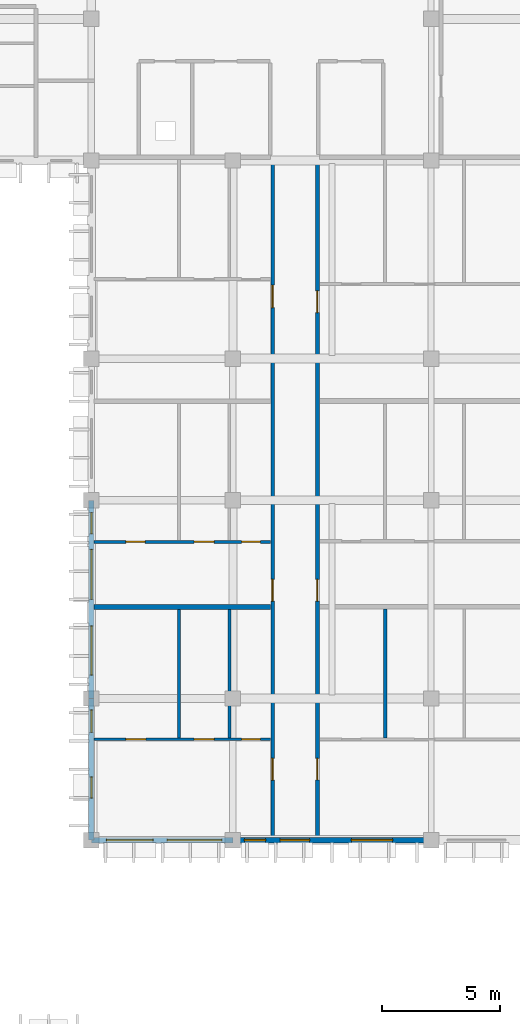
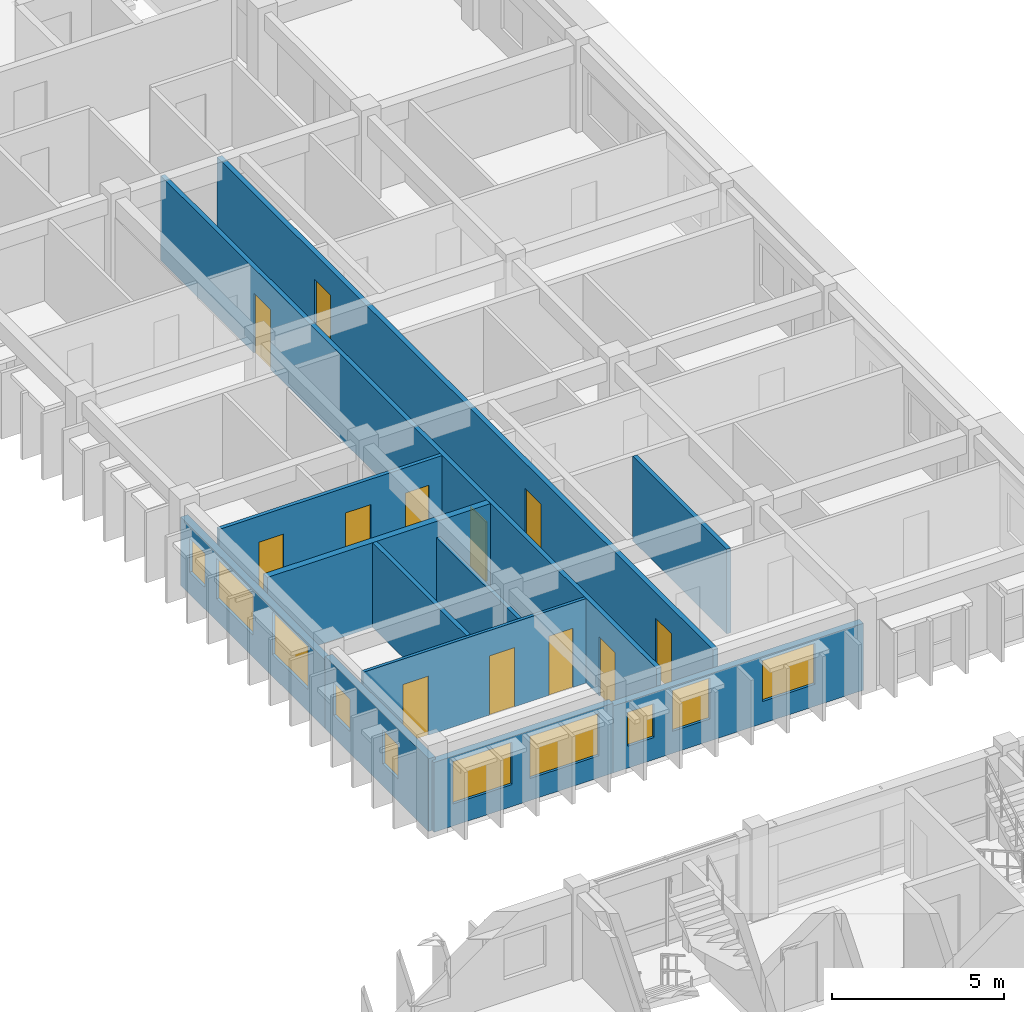
# One storey, part 62 of 101: 12 doors, 12 walls, 10 windows, 22 openings.
"""IFC4 building model written with IfcOpenShell, lengths in metres."""

import ifcopenshell
import ifcopenshell.guid

model = None  # the IFC model being written
_history = None  # IfcOwnerHistory: only IFC2X3 demands one
_inside = {}  # id of a spatial element -> (the spatial element, [elements in it])
_under = {}  # id of a project, library or spatial element -> (it, [spatial elements below it])
_declared = {}  # id of a project -> (the project, [libraries it declares])
_typed = {}  # id of a type object -> (the type object, [elements of that type])
_made_of = {}  # id of a material, layer set ... -> (it, [elements and type objects made of it])


def new_model(schema):
    """Start an empty IFC model of exactly this schema.

    Asked for "IFC4X3", IfcOpenShell would pick the latest addendum, in which some entities
    have other attributes; the version numbers below select the first issue.
    IFC2X3 requires an IfcOwnerHistory on every rooted entity: one is made here for all.
    """
    global model, _history
    if schema == "IFC4X3":
        model = ifcopenshell.file(schema_version=(4, 3, 0, 0))
    else:
        model = ifcopenshell.file(schema=schema)
    _inside.clear()
    _under.clear()
    _declared.clear()
    _typed.clear()
    _made_of.clear()
    _history = None
    if model.schema == "IFC2X3":
        org = make("IfcOrganization", Name="unknown")
        user = make(
            "IfcPersonAndOrganization",
            ThePerson=make("IfcPerson", FamilyName="unknown"),
            TheOrganization=org,
        )
        app = make(
            "IfcApplication",
            ApplicationDeveloper=org,
            Version="unknown",
            ApplicationFullName="unknown",
            ApplicationIdentifier="unknown",
        )
        _history = make(
            "IfcOwnerHistory",
            OwningUser=user,
            OwningApplication=app,
            ChangeAction="ADDED",
            CreationDate=0,
        )
    return model


def make(cls, **values):
    """One entity of the class cls with the attributes given. An attribute that is None is left unset."""
    return model.create_entity(
        cls, **{name: value for name, value in values.items() if value is not None}
    )


def rooted(cls, **values):
    """An entity with a GlobalId (a new one), such as an element, a storey or a relation."""
    return make(cls, GlobalId=ifcopenshell.guid.new(), OwnerHistory=_history, **values)


def si_unit(unit_type, name, prefix=None):
    """IfcSIUnit, for example si_unit("LENGTHUNIT", "METRE", prefix="MILLI")."""
    return make("IfcSIUnit", UnitType=unit_type, Prefix=prefix, Name=name)


def assignment(units):
    """IfcUnitAssignment: the units of a project."""
    return None if units is None else make("IfcUnitAssignment", Units=units)


def point(xyz):
    """IfcCartesianPoint."""
    return None if xyz is None else make("IfcCartesianPoint", Coordinates=xyz)


def direction(xyz):
    """IfcDirection."""
    return None if xyz is None else make("IfcDirection", DirectionRatios=xyz)


def frame(location, z_axis=None, x_axis=None):
    """IfcAxis2Placement3D, a coordinate frame: its origin and axes. An axis left out is left unset."""
    return make(
        "IfcAxis2Placement3D",
        Location=point(location),
        Axis=direction(z_axis),
        RefDirection=direction(x_axis),
    )


def frame_2d(location, x_axis=None):
    """IfcAxis2Placement2D, a coordinate frame in the plane: its origin and x axis."""
    return make(
        "IfcAxis2Placement2D", Location=point(location), RefDirection=direction(x_axis)
    )


def origin():
    """The frame at (0, 0, 0) with its axes left unset."""
    return frame((0.0, 0.0, 0.0))


def place(relative_to, where):
    """IfcLocalPlacement: puts the frame where relative to a parent placement (None: the world)."""
    return make(
        "IfcLocalPlacement", PlacementRelTo=relative_to, RelativePlacement=where
    )


def context(
    kind, dimensions, precision=None, world=None, true_north=None, identifier=None
):
    """IfcGeometricRepresentationContext, for example the 3D "Model" context."""
    return make(
        "IfcGeometricRepresentationContext",
        ContextIdentifier=identifier,
        ContextType=kind,
        CoordinateSpaceDimension=dimensions,
        Precision=precision,
        WorldCoordinateSystem=world,
        TrueNorth=true_north,
    )


def subcontext(parent, identifier, kind, view, scale=None):
    """IfcGeometricRepresentationSubContext, for example "Body" below "Model"."""
    return make(
        "IfcGeometricRepresentationSubContext",
        ContextIdentifier=identifier,
        ContextType=kind,
        ParentContext=parent,
        TargetScale=scale,
        TargetView=view,
    )


def project(units=None, contexts=None):
    """IfcProject with its units and contexts."""
    return rooted(
        "IfcProject",
        Name="project",
        RepresentationContexts=contexts,
        UnitsInContext=assignment(units),
    )


def spatial(cls, under=None, at=None, **own):
    """A site, building, storey or space (cls), placed at a placement, below another one or the project."""
    s = rooted(cls, ObjectPlacement=at, **own)
    if under is not None:
        _under.setdefault(under.id(), (under, []))[1].append(s)
    return s


def profile(cls, at=None, kind="AREA", **sizes):
    """A parametric profile (cls). Its sizes go by their IFC names, for example OverallWidth=200.0."""
    return make(cls, ProfileType=kind, Position=at, **sizes)


def rectangle(**sizes):
    """IfcRectangleProfileDef."""
    return profile("IfcRectangleProfileDef", **sizes)


def extrude(swept, where, along, depth):
    """IfcExtrudedAreaSolid: the profile swept, set in the frame where, extruded along a direction by depth."""
    return make(
        "IfcExtrudedAreaSolid",
        SweptArea=swept,
        Position=where,
        ExtrudedDirection=direction(along),
        Depth=depth,
    )


def shape(context_of_items, identifier, shape_type, items):
    """IfcShapeRepresentation: the items that make up one representation, for example the "Body"."""
    return make(
        "IfcShapeRepresentation",
        ContextOfItems=context_of_items,
        RepresentationIdentifier=identifier,
        RepresentationType=shape_type,
        Items=items,
    )


def material(Name=None, Category=None):
    """IfcMaterial."""
    return make("IfcMaterial", Name=Name, Category=Category)


def layer(
    of_material, thickness, ventilated=None, Name=None, Category=None, Priority=None
):
    """IfcMaterialLayer: one layer of a wall or slab, of a material (None: an air gap)."""
    return make(
        "IfcMaterialLayer",
        Material=of_material,
        LayerThickness=thickness,
        IsVentilated=ventilated,
        Name=Name,
        Category=Category,
        Priority=Priority,
    )


def layer_set(layers, Name=None):
    """IfcMaterialLayerSet."""
    return make("IfcMaterialLayerSet", MaterialLayers=layers, LayerSetName=Name)


def made_of(thing, what):
    """Note that an element or type object is made of a material, layer set ...; save() writes the relation."""
    if what is not None:
        _made_of.setdefault(what.id(), (what, []))[1].append(thing)
    return thing


def type_object(cls, material=None, **own):
    """A type object (cls), such as IfcWallType, which elements share."""
    return made_of(rooted(cls, **own), material)


def element(
    cls,
    number,
    at=None,
    inside=None,
    cuts=None,
    type_object=None,
    material=None,
    context=None,
    identifier="Body",
    shape_type=None,
    held_by="IfcProductDefinitionShape",
    body=None,
    shapes=None,
    **own,
):
    """One element of the class cls, such as IfcWall. Its Tag is "e" and its number.

    at: its placement. inside: the storey or other place that contains it. cuts: it is an
    opening in that element (IfcRelVoidsElement). A single representation is given by context,
    identifier, shape_type and body (its items); several are given by shapes. held_by: the class
    of the entity that holds the representations. save() writes the other relations.
    """
    e = rooted(cls, Tag="e%d" % number, ObjectPlacement=at, **own)
    if body is not None:
        shapes = [shape(context, identifier, shape_type, body)]
    if shapes is not None:
        e.Representation = make(held_by, Representations=shapes)
    if inside is not None:
        _inside.setdefault(inside.id(), (inside, []))[1].append(e)
    if cuts is not None:
        rooted(
            "IfcRelVoidsElement", RelatingBuildingElement=cuts, RelatedOpeningElement=e
        )
    if type_object is not None:
        _typed.setdefault(type_object.id(), (type_object, []))[1].append(e)
    return made_of(e, material)


def fill(opening, filler):
    """IfcRelFillsElement: the door or window that sits in an opening."""
    return rooted(
        "IfcRelFillsElement",
        RelatingOpeningElement=opening,
        RelatedBuildingElement=filler,
    )


def aggregate(whole, parts):
    """IfcRelAggregates: a whole, such as a stair, and the parts it consists of."""
    return rooted("IfcRelAggregates", RelatingObject=whole, RelatedObjects=parts)


def save(model, path):
    """Write the relations noted so far, then the file.

    IfcRelAggregates (storeys below a building ...), IfcRelContainedInSpatialStructure (elements
    in a storey), IfcRelDefinesByType, IfcRelAssociatesMaterial and IfcRelDeclares: one each for
    every whole, place, type object, material and project.
    """
    for whole, parts in _under.values():
        aggregate(whole, parts)
    for where, things in _inside.values():
        rooted(
            "IfcRelContainedInSpatialStructure",
            RelatedElements=things,
            RelatingStructure=where,
        )
    for kind, things in _typed.values():
        rooted("IfcRelDefinesByType", RelatedObjects=things, RelatingType=kind)
    for what, things in _made_of.values():
        rooted("IfcRelAssociatesMaterial", RelatedObjects=things, RelatingMaterial=what)
    for by, libraries in _declared.values():
        rooted("IfcRelDeclares", RelatingContext=by, RelatedDefinitions=libraries)
    model.write(path)


model = new_model("IFC4")

# Units and contexts
model_context = context("Model", 3, precision=1e-05, world=origin(), true_north=direction((0.0, 1.0)))
body_context = subcontext(model_context, "Body", "Model", "MODEL_VIEW")
ifc_project = project(units=[si_unit("LENGTHUNIT", "METRE"), si_unit("AREAUNIT", "SQUARE_METRE"), si_unit("VOLUMEUNIT", "CUBIC_METRE"), si_unit("PLANEANGLEUNIT", "RADIAN"), si_unit("MASSUNIT", "GRAM", prefix="KILO"), si_unit("THERMODYNAMICTEMPERATUREUNIT", "KELVIN")], contexts=[model_context])

# Site, building, storey
site_placement = place(None, origin())
site = spatial("IfcSite", under=ifc_project, at=site_placement, CompositionType="ELEMENT")
building_placement = place(site_placement, origin())
building = spatial("IfcBuilding", under=site, at=building_placement, Name="Thalorik Housing Commons", CompositionType="ELEMENT")
storey_placement = place(building_placement, frame((0.0, 0.0, 8.10009765625)))
storey = spatial("IfcBuildingStorey", under=building, at=storey_placement, Name="L02", CompositionType="ELEMENT", Elevation=8.10009765625)

# Wall, openings, doors
ifc_material_1 = material(Name="Masonry fire-rated corridor wall", Category="masonry")
ifc_layer_1 = layer(ifc_material_1, 0.14990234375, Name="Masonry fire-rated corridor wall", Category="masonry")
ifc_layer_set_1 = layer_set([ifc_layer_1], Name="Masonry fire-rated corridor wall")
wall_type_1 = type_object("IfcWallType", Name="ARC-WAL-CORR-150", PredefinedType="PARTITIONING", material=ifc_layer_set_1)
wall_1_placement = place(storey_placement, frame((160.080078125, 80.51953125, 0.0), z_axis=(0.0, 0.0, 1.0), x_axis=(0.0, 1.0, 0.0)))
wall_1 = element("IfcWall", 1, at=wall_1_placement, inside=storey, type_object=wall_type_1, Name="L02 Block B E Corridor Wall 1", PredefinedType="PARTITIONING", context=body_context, shape_type="SweptSolid", body=[
    extrude(rectangle(XDim=28.820556640625, YDim=0.14990234375, at=frame_2d((14.41015625, 0.0))), origin(), (0.0, 0.0, 1.0), 3.0),
])
opening_1_placement = place(wall_1_placement, frame((2.4248046875, 0.0, 0.0)))
opening_1 = element("IfcOpeningElement", 2, at=opening_1_placement, cuts=wall_1, Name="Opening ID-1068", PredefinedType="OPENING", context=body_context, shape_type="SweptSolid", body=[
    extrude(rectangle(XDim=0.919921875, YDim=2.10009765625, at=frame_2d((0.4599609375, 1.050048828125))), frame((0.0, 0.0849609375, 0.0), z_axis=(0.0, -1.0, 0.0), x_axis=(1.0, 0.0, 0.0)), (0.0, 0.0, 1.0), 0.169921875),
])
opening_2_placement = place(wall_1_placement, frame((10.010498046875, 0.0, 0.0)))
opening_2 = element("IfcOpeningElement", 3, at=opening_2_placement, cuts=wall_1, Name="Opening ID-1069", PredefinedType="OPENING", context=body_context, shape_type="SweptSolid", body=[
    extrude(rectangle(XDim=0.919921875, YDim=2.10009765625, at=frame_2d((0.4599609375, 1.050048828125))), frame((0.0, 0.0849609375, 0.0), z_axis=(0.0, -1.0, 0.0), x_axis=(1.0, 0.0, 0.0)), (0.0, 0.0, 1.0), 0.169921875),
])
opening_3_placement = place(wall_1_placement, frame((22.4404296875, 0.0, 0.0)))
opening_3 = element("IfcOpeningElement", 4, at=opening_3_placement, cuts=wall_1, Name="Opening ID-1070", PredefinedType="OPENING", context=body_context, shape_type="SweptSolid", body=[
    extrude(rectangle(XDim=0.9599609375, YDim=2.1201171875, at=frame_2d((0.47998046875, 1.06005859375))), frame((0.0, 0.0849609375, 0.0), z_axis=(0.0, -1.0, 0.0), x_axis=(1.0, 0.0, 0.0)), (0.0, 0.0, 1.0), 0.169921875),
])
ifc_material_2 = material(Name="Solid core hardwood timber", Category="wood")
door_type_1 = type_object("IfcDoorType", Name="ARC-DR-FD30-920", OperationType="NOTDEFINED", PredefinedType="DOOR", material=ifc_material_2)
door_1_placement = place(opening_1_placement, origin())
door_1 = element("IfcDoor", 5, at=door_1_placement, inside=storey, type_object=door_type_1, Name="L02 Flat BE-1A Entrance Door", OperationType="SINGLE_SWING_LEFT", OverallHeight=2.10009765625, OverallWidth=0.919921875, PredefinedType="DOOR", context=body_context, shape_type="SweptSolid", body=[
    extrude(rectangle(XDim=0.919921875, YDim=2.10009765625, at=frame_2d((0.4599609375, 1.050048828125))), frame((0.0, 0.02490234375, 0.0), z_axis=(0.0, -1.0, 0.0), x_axis=(1.0, 0.0, 0.0)), (0.0, 0.0, 1.0), 0.050048828125),
])
fill(opening_1, door_1)
door_2_placement = place(opening_2_placement, origin())
door_2 = element("IfcDoor", 6, at=door_2_placement, inside=storey, type_object=door_type_1, Name="L02 Flat BE-2A Entrance Door", OperationType="SINGLE_SWING_RIGHT", OverallHeight=2.10009765625, OverallWidth=0.919921875, PredefinedType="DOOR", context=body_context, shape_type="SweptSolid", body=[
    extrude(rectangle(XDim=0.919921875, YDim=2.10009765625, at=frame_2d((0.4599609375, 1.050048828125))), frame((0.0, 0.02490234375, 0.0), z_axis=(0.0, -1.0, 0.0), x_axis=(1.0, 0.0, 0.0)), (0.0, 0.0, 1.0), 0.050048828125),
])
fill(opening_2, door_2)
door_type_2 = type_object("IfcDoorType", Name="ARC-DR-FD30-960", OperationType="NOTDEFINED", PredefinedType="DOOR", material=ifc_material_2)
door_3_placement = place(opening_3_placement, origin())
door_3 = element("IfcDoor", 7, at=door_3_placement, inside=storey, type_object=door_type_2, Name="L02 Flat BE-3A Entrance Door", OperationType="SINGLE_SWING_LEFT", OverallHeight=2.1201171875, OverallWidth=0.9599609375, PredefinedType="DOOR", context=body_context, shape_type="SweptSolid", body=[
    extrude(rectangle(XDim=0.9599609375, YDim=2.1201171875, at=frame_2d((0.47998046875, 1.06005859375))), frame((0.0, 0.02490234375, 0.0), z_axis=(0.0, -1.0, 0.0), x_axis=(1.0, 0.0, 0.0)), (0.0, 0.0, 1.0), 0.050048828125),
])
fill(opening_3, door_3)

ifc_layer_2 = layer(ifc_material_1, 0.1650390625, Name="Masonry fire-rated corridor wall", Category="masonry")
ifc_layer_set_2 = layer_set([ifc_layer_2], Name="Masonry fire-rated corridor wall")
wall_type_2 = type_object("IfcWallType", Name="ARC-WAL-CORR-165", PredefinedType="PARTITIONING", material=ifc_layer_set_2)
wall_2_placement = place(storey_placement, frame((161.97998046875, 80.51953125, 0.0), z_axis=(0.0, 0.0, 1.0), x_axis=(0.0, 1.0, 0.0)))
wall_2 = element("IfcWall", 8, at=wall_2_placement, inside=storey, type_object=wall_type_2, Name="L02 Block B E Corridor Wall 2", PredefinedType="PARTITIONING", context=body_context, shape_type="SweptSolid", body=[
    extrude(rectangle(XDim=28.820556640625, YDim=0.1650390625, at=frame_2d((14.41015625, 0.0))), origin(), (0.0, 0.0, 1.0), 3.0),
])
opening_4_placement = place(wall_2_placement, frame((2.427734375, 0.0, 0.0)))
opening_4 = element("IfcOpeningElement", 9, at=opening_4_placement, cuts=wall_2, Name="Opening ID-1071", PredefinedType="OPENING", context=body_context, shape_type="SweptSolid", body=[
    extrude(rectangle(XDim=0.919921875, YDim=2.10009765625, at=frame_2d((0.4599609375, 1.050048828125))), frame((0.0, 0.092529296875, 0.0), z_axis=(0.0, -1.0, 0.0), x_axis=(1.0, 0.0, 0.0)), (0.0, 0.0, 1.0), 0.18505859375),
])
opening_5_placement = place(wall_2_placement, frame((10.010498046875, 0.0, 0.0)))
opening_5 = element("IfcOpeningElement", 10, at=opening_5_placement, cuts=wall_2, Name="Opening ID-1072", PredefinedType="OPENING", context=body_context, shape_type="SweptSolid", body=[
    extrude(rectangle(XDim=0.919921875, YDim=2.10009765625, at=frame_2d((0.4599609375, 1.050048828125))), frame((0.0, 0.092529296875, 0.0), z_axis=(0.0, -1.0, 0.0), x_axis=(1.0, 0.0, 0.0)), (0.0, 0.0, 1.0), 0.18505859375),
])
opening_6_placement = place(wall_2_placement, frame((22.233642578125, 0.0, 0.0)))
opening_6 = element("IfcOpeningElement", 11, at=opening_6_placement, cuts=wall_2, Name="Opening ID-1073", PredefinedType="OPENING", context=body_context, shape_type="SweptSolid", body=[
    extrude(rectangle(XDim=0.919921875, YDim=2.10009765625, at=frame_2d((0.4599609375, 1.050048828125))), frame((0.0, 0.092529296875, 0.0), z_axis=(0.0, -1.0, 0.0), x_axis=(1.0, 0.0, 0.0)), (0.0, 0.0, 1.0), 0.18505859375),
])
door_4_placement = place(opening_4_placement, origin())
door_4 = element("IfcDoor", 12, at=door_4_placement, inside=storey, type_object=door_type_1, Name="L02 Flat BE-1B Entrance Door", OperationType="SINGLE_SWING_RIGHT", OverallHeight=2.10009765625, OverallWidth=0.919921875, PredefinedType="DOOR", context=body_context, shape_type="SweptSolid", body=[
    extrude(rectangle(XDim=0.919921875, YDim=2.10009765625, at=frame_2d((0.4599609375, 1.050048828125))), frame((0.0, 0.02490234375, 0.0), z_axis=(0.0, -1.0, 0.0), x_axis=(1.0, 0.0, 0.0)), (0.0, 0.0, 1.0), 0.050048828125),
])
fill(opening_4, door_4)
door_5_placement = place(opening_5_placement, origin())
door_5 = element("IfcDoor", 13, at=door_5_placement, inside=storey, type_object=door_type_1, Name="L02 Flat BE-2B Entrance Door", OperationType="SINGLE_SWING_LEFT", OverallHeight=2.10009765625, OverallWidth=0.919921875, PredefinedType="DOOR", context=body_context, shape_type="SweptSolid", body=[
    extrude(rectangle(XDim=0.919921875, YDim=2.10009765625, at=frame_2d((0.4599609375, 1.050048828125))), frame((0.0, 0.02490234375, 0.0), z_axis=(0.0, -1.0, 0.0), x_axis=(1.0, 0.0, 0.0)), (0.0, 0.0, 1.0), 0.050048828125),
])
fill(opening_5, door_5)
door_6_placement = place(opening_6_placement, origin())
door_6 = element("IfcDoor", 14, at=door_6_placement, inside=storey, type_object=door_type_1, Name="L02 Flat BE-3B Entrance Door", OperationType="SINGLE_SWING_RIGHT", OverallHeight=2.10009765625, OverallWidth=0.919921875, PredefinedType="DOOR", context=body_context, shape_type="SweptSolid", body=[
    extrude(rectangle(XDim=0.919921875, YDim=2.10009765625, at=frame_2d((0.4599609375, 1.050048828125))), frame((0.0, 0.02490234375, 0.0), z_axis=(0.0, -1.0, 0.0), x_axis=(1.0, 0.0, 0.0)), (0.0, 0.0, 1.0), 0.050048828125),
])
fill(opening_6, door_6)

# Wall, openings, windows
ifc_material_3 = material(Name="White precast concrete C40/50", Category="concrete")
ifc_layer_3 = layer(ifc_material_3, 0.235107421875, Name="White precast concrete C40/50", Category="concrete")
ifc_layer_set_3 = layer_set([ifc_layer_3], Name="White precast concrete C40/50")
wall_type_3 = type_object("IfcWallType", Name="ARC-WAL-EXT-235", PredefinedType="STANDARD", material=ifc_layer_set_3)
wall_3_placement = place(storey_placement, frame((152.39990234375, 94.800048828125, 0.0), z_axis=(0.0, 0.0, 1.0), x_axis=(0.0, -1.0, 0.0)))
wall_3 = element("IfcWall", 15, at=wall_3_placement, inside=storey, type_object=wall_type_3, Name="L02 Exterior Wall WAL-EXT-L02-B-0474", PredefinedType="STANDARD", context=body_context, shape_type="SweptSolid", body=[
    extrude(rectangle(XDim=8.400146484375, YDim=0.235107421875, at=frame_2d((4.2001953125, 0.0))), origin(), (0.0, 0.0, 1.0), 2.4248046875),
])
opening_7_placement = place(wall_3_placement, frame((0.52490234375, 0.0, 0.780029296875)))
opening_7 = element("IfcOpeningElement", 16, at=opening_7_placement, cuts=wall_3, Name="Opening W-01", PredefinedType="OPENING", context=body_context, shape_type="SweptSolid", body=[
    extrude(rectangle(XDim=0.89990234375, YDim=1.199951171875, at=frame_2d((0.449951171875, 0.60009765625))), frame((0.0, 0.12744140625, 0.0), z_axis=(0.0, -1.0, 0.0), x_axis=(1.0, 0.0, 0.0)), (0.0, 0.0, 1.0), 0.255126953125),
])
opening_8_placement = place(wall_3_placement, frame((2.080078125, 0.0, 0.780029296875)))
opening_8 = element("IfcOpeningElement", 17, at=opening_8_placement, cuts=wall_3, Name="Opening W-64", PredefinedType="OPENING", context=body_context, shape_type="SweptSolid", body=[
    extrude(rectangle(XDim=2.1201171875, YDim=1.43994140625, at=frame_2d((1.06005859375, 0.719970703125))), frame((0.0, 0.12744140625, 0.0), z_axis=(0.0, -1.0, 0.0), x_axis=(1.0, 0.0, 0.0)), (0.0, 0.0, 1.0), 0.255126953125),
])
opening_9_placement = place(wall_3_placement, frame((5.324951171875, 0.0, 0.780029296875)))
opening_9 = element("IfcOpeningElement", 18, at=opening_9_placement, cuts=wall_3, Name="Opening W-63", PredefinedType="OPENING", context=body_context, shape_type="SweptSolid", body=[
    extrude(rectangle(XDim=2.080078125, YDim=1.52001953125, at=frame_2d((1.0400390625, 0.760009765625))), frame((0.0, 0.12744140625, 0.0), z_axis=(0.0, -1.0, 0.0), x_axis=(1.0, 0.0, 0.0)), (0.0, 0.0, 1.0), 0.255126953125),
])
ifc_material_4 = material(Name="Anodised aluminium and solar-control low-E glass", Category="aluminium")
window_type_1 = type_object("IfcWindowType", Name="ARC-WIN-01", PartitioningType="SINGLE_PANEL", PredefinedType="WINDOW", material=ifc_material_4)
window_1_placement = place(opening_7_placement, origin())
window_1 = element("IfcWindow", 19, at=window_1_placement, inside=storey, type_object=window_type_1, Name="L02 Facade Window 850", OverallHeight=1.199951171875, OverallWidth=0.89990234375, PartitioningType="SINGLE_PANEL", PredefinedType="WINDOW", context=body_context, shape_type="SweptSolid", body=[
    extrude(rectangle(XDim=0.89990234375, YDim=1.199951171875, at=frame_2d((0.449951171875, 0.60009765625))), frame((0.0, 0.030029296875, 0.0), z_axis=(0.0, -1.0, 0.0), x_axis=(1.0, 0.0, 0.0)), (0.0, 0.0, 1.0), 0.06005859375),
])
fill(opening_7, window_1)
window_type_2 = type_object("IfcWindowType", Name="ARC-WIN-63", PartitioningType="DOUBLE_PANEL_VERTICAL", PredefinedType="WINDOW", material=ifc_material_4)
window_2_placement = place(opening_9_placement, origin())
window_2 = element("IfcWindow", 20, at=window_2_placement, inside=storey, type_object=window_type_2, Name="L02 Facade Window 852", OverallHeight=1.52001953125, OverallWidth=2.080078125, PartitioningType="DOUBLE_PANEL_VERTICAL", PredefinedType="WINDOW", context=body_context, shape_type="SweptSolid", body=[
    extrude(rectangle(XDim=2.080078125, YDim=1.52001953125, at=frame_2d((1.0400390625, 0.760009765625))), frame((0.0, 0.030029296875, 0.0), z_axis=(0.0, -1.0, 0.0), x_axis=(1.0, 0.0, 0.0)), (0.0, 0.0, 1.0), 0.06005859375),
])
fill(opening_9, window_2)
window_type_3 = type_object("IfcWindowType", Name="ARC-WIN-64", PartitioningType="DOUBLE_PANEL_VERTICAL", PredefinedType="WINDOW", material=ifc_material_4)
window_3_placement = place(opening_8_placement, origin())
window_3 = element("IfcWindow", 21, at=window_3_placement, inside=storey, type_object=window_type_3, Name="L02 Facade Window 851", OverallHeight=1.43994140625, OverallWidth=2.1201171875, PartitioningType="DOUBLE_PANEL_VERTICAL", PredefinedType="WINDOW", context=body_context, shape_type="SweptSolid", body=[
    extrude(rectangle(XDim=2.1201171875, YDim=1.43994140625, at=frame_2d((1.06005859375, 0.719970703125))), frame((0.0, 0.030029296875, 0.0), z_axis=(0.0, -1.0, 0.0), x_axis=(1.0, 0.0, 0.0)), (0.0, 0.0, 1.0), 0.06005859375),
])
fill(opening_8, window_3)

wall_4_placement = place(storey_placement, frame((152.39990234375, 86.39990234375, 0.0), z_axis=(0.0, 0.0, 1.0), x_axis=(0.0, -1.0, 0.0)))
wall_4 = element("IfcWall", 22, at=wall_4_placement, inside=storey, type_object=wall_type_3, Name="L02 Exterior Wall WAL-EXT-L02-B-0475", PredefinedType="STANDARD", context=body_context, shape_type="SweptSolid", body=[
    extrude(rectangle(XDim=6.0, YDim=0.235107421875, at=frame_2d((3.0, 0.0))), origin(), (0.0, 0.0, 1.0), 2.574951171875),
])
opening_10_placement = place(wall_4_placement, frame((0.485107421875, 0.0, 0.780029296875)))
opening_10 = element("IfcOpeningElement", 23, at=opening_10_placement, cuts=wall_4, Name="Opening W-43", PredefinedType="OPENING", context=body_context, shape_type="SweptSolid", body=[
    extrude(rectangle(XDim=0.949951171875, YDim=1.14990234375, at=frame_2d((0.47509765625, 0.574951171875))), frame((0.0, 0.12744140625, 0.0), z_axis=(0.0, -1.0, 0.0), x_axis=(1.0, 0.0, 0.0)), (0.0, 0.0, 1.0), 0.255126953125),
])
opening_11_placement = place(wall_4_placement, frame((3.320068359375, 0.0, 0.780029296875)))
opening_11 = element("IfcOpeningElement", 24, at=opening_11_placement, cuts=wall_4, Name="Opening W-01", PredefinedType="OPENING", context=body_context, shape_type="SweptSolid", body=[
    extrude(rectangle(XDim=0.89990234375, YDim=1.199951171875, at=frame_2d((0.449951171875, 0.60009765625))), frame((0.0, 0.12744140625, 0.0), z_axis=(0.0, -1.0, 0.0), x_axis=(1.0, 0.0, 0.0)), (0.0, 0.0, 1.0), 0.255126953125),
])
window_4_placement = place(opening_11_placement, origin())
window_4 = element("IfcWindow", 25, at=window_4_placement, inside=storey, type_object=window_type_1, Name="L02 Facade Window 854", OverallHeight=1.199951171875, OverallWidth=0.89990234375, PartitioningType="SINGLE_PANEL", PredefinedType="WINDOW", context=body_context, shape_type="SweptSolid", body=[
    extrude(rectangle(XDim=0.89990234375, YDim=1.199951171875, at=frame_2d((0.449951171875, 0.60009765625))), frame((0.0, 0.030029296875, 0.0), z_axis=(0.0, -1.0, 0.0), x_axis=(1.0, 0.0, 0.0)), (0.0, 0.0, 1.0), 0.06005859375),
])
fill(opening_11, window_4)
window_type_4 = type_object("IfcWindowType", Name="ARC-WIN-43", PartitioningType="SINGLE_PANEL", PredefinedType="WINDOW", material=ifc_material_4)
window_5_placement = place(opening_10_placement, origin())
window_5 = element("IfcWindow", 26, at=window_5_placement, inside=storey, type_object=window_type_4, Name="L02 Facade Window 853", OverallHeight=1.14990234375, OverallWidth=0.949951171875, PartitioningType="SINGLE_PANEL", PredefinedType="WINDOW", context=body_context, shape_type="SweptSolid", body=[
    extrude(rectangle(XDim=0.949951171875, YDim=1.14990234375, at=frame_2d((0.47509765625, 0.574951171875))), frame((0.0, 0.030029296875, 0.0), z_axis=(0.0, -1.0, 0.0), x_axis=(1.0, 0.0, 0.0)), (0.0, 0.0, 1.0), 0.06005859375),
])
fill(opening_10, window_5)

wall_5_placement = place(storey_placement, frame((152.39990234375, 80.39990234375, 0.0), z_axis=(0.0, 0.0, 1.0), x_axis=(1.0, 0.0, 0.0)))
wall_5 = element("IfcWall", 27, at=wall_5_placement, inside=storey, type_object=wall_type_3, Name="L02 Exterior Wall WAL-EXT-L02-B-0476", PredefinedType="STANDARD", context=body_context, shape_type="SweptSolid", body=[
    extrude(rectangle(XDim=6.0, YDim=0.235107421875, at=frame_2d((3.0, 0.0))), origin(), (0.0, 0.0, 1.0), 2.474853515625),
])
opening_12_placement = place(wall_5_placement, frame((0.639892578125, 0.0, 0.780029296875)))
opening_12 = element("IfcOpeningElement", 28, at=opening_12_placement, cuts=wall_5, Name="Opening W-61", PredefinedType="OPENING", context=body_context, shape_type="SweptSolid", body=[
    extrude(rectangle(XDim=1.97998046875, YDim=1.5, at=frame_2d((0.989990234375, 0.75))), frame((0.0, 0.12744140625, 0.0), z_axis=(0.0, -1.0, 0.0), x_axis=(1.0, 0.0, 0.0)), (0.0, 0.0, 1.0), 0.255126953125),
])
opening_13_placement = place(wall_5_placement, frame((3.2099609375, 0.0, 0.780029296875)))
opening_13 = element("IfcOpeningElement", 29, at=opening_13_placement, cuts=wall_5, Name="Opening W-68", PredefinedType="OPENING", context=body_context, shape_type="SweptSolid", body=[
    extrude(rectangle(XDim=2.320068359375, YDim=1.5, at=frame_2d((1.16015625, 0.75))), frame((0.0, 0.12744140625, 0.0), z_axis=(0.0, -1.0, 0.0), x_axis=(1.0, 0.0, 0.0)), (0.0, 0.0, 1.0), 0.255126953125),
])
window_type_5 = type_object("IfcWindowType", Name="ARC-WIN-61", PartitioningType="DOUBLE_PANEL_VERTICAL", PredefinedType="WINDOW", material=ifc_material_4)
window_6_placement = place(opening_12_placement, origin())
window_6 = element("IfcWindow", 30, at=window_6_placement, inside=storey, type_object=window_type_5, Name="L02 Facade Window 855", OverallHeight=1.5, OverallWidth=1.97998046875, PartitioningType="DOUBLE_PANEL_VERTICAL", PredefinedType="WINDOW", context=body_context, shape_type="SweptSolid", body=[
    extrude(rectangle(XDim=1.97998046875, YDim=1.5, at=frame_2d((0.989990234375, 0.75))), frame((0.0, 0.030029296875, 0.0), z_axis=(0.0, -1.0, 0.0), x_axis=(1.0, 0.0, 0.0)), (0.0, 0.0, 1.0), 0.06005859375),
])
fill(opening_12, window_6)
window_type_6 = type_object("IfcWindowType", Name="ARC-WIN-68", PartitioningType="DOUBLE_PANEL_VERTICAL", PredefinedType="WINDOW", material=ifc_material_4)
window_7_placement = place(opening_13_placement, origin())
window_7 = element("IfcWindow", 31, at=window_7_placement, inside=storey, type_object=window_type_6, Name="L02 Facade Window 856", OverallHeight=1.5, OverallWidth=2.320068359375, PartitioningType="DOUBLE_PANEL_VERTICAL", PredefinedType="WINDOW", context=body_context, shape_type="SweptSolid", body=[
    extrude(rectangle(XDim=2.320068359375, YDim=1.5, at=frame_2d((1.16015625, 0.75))), frame((0.0, 0.030029296875, 0.0), z_axis=(0.0, -1.0, 0.0), x_axis=(1.0, 0.0, 0.0)), (0.0, 0.0, 1.0), 0.06005859375),
])
fill(opening_13, window_7)

wall_6_placement = place(storey_placement, frame((158.39990234375, 80.39990234375, 0.0), z_axis=(0.0, 0.0, 1.0), x_axis=(1.0, 0.0, 0.0)))
wall_6 = element("IfcWall", 32, at=wall_6_placement, inside=storey, type_object=wall_type_3, Name="L02 Exterior Wall WAL-EXT-L02-B-0477", PredefinedType="STANDARD", context=body_context, shape_type="SweptSolid", body=[
    extrude(rectangle(XDim=8.400146484375, YDim=0.235107421875, at=frame_2d((4.2001953125, 0.0))), origin(), (0.0, 0.0, 1.0), 2.375),
])
opening_14_placement = place(wall_6_placement, frame((0.485107421875, 0.0, 0.780029296875)))
opening_14 = element("IfcOpeningElement", 33, at=opening_14_placement, cuts=wall_6, Name="Opening W-01", PredefinedType="OPENING", context=body_context, shape_type="SweptSolid", body=[
    extrude(rectangle(XDim=0.89990234375, YDim=1.199951171875, at=frame_2d((0.449951171875, 0.60009765625))), frame((0.0, 0.12744140625, 0.0), z_axis=(0.0, -1.0, 0.0), x_axis=(1.0, 0.0, 0.0)), (0.0, 0.0, 1.0), 0.255126953125),
])
opening_15_placement = place(wall_6_placement, frame((2.0048828125, 0.0, 0.780029296875)))
opening_15 = element("IfcOpeningElement", 34, at=opening_15_placement, cuts=wall_6, Name="Opening W-47", PredefinedType="OPENING", context=body_context, shape_type="SweptSolid", body=[
    extrude(rectangle(XDim=1.25, YDim=1.449951171875, at=frame_2d((0.625, 0.72509765625))), frame((0.0, 0.12744140625, 0.0), z_axis=(0.0, -1.0, 0.0), x_axis=(1.0, 0.0, 0.0)), (0.0, 0.0, 1.0), 0.255126953125),
])
opening_16_placement = place(wall_6_placement, frame((5.02001953125, 0.0, 0.780029296875)))
opening_16 = element("IfcOpeningElement", 35, at=opening_16_placement, cuts=wall_6, Name="Opening W-17", PredefinedType="OPENING", context=body_context, shape_type="SweptSolid", body=[
    extrude(rectangle(XDim=1.75, YDim=1.449951171875, at=frame_2d((0.875, 0.72509765625))), frame((0.0, 0.12744140625, 0.0), z_axis=(0.0, -1.0, 0.0), x_axis=(1.0, 0.0, 0.0)), (0.0, 0.0, 1.0), 0.255126953125),
])
window_8_placement = place(opening_14_placement, origin())
window_8 = element("IfcWindow", 36, at=window_8_placement, inside=storey, type_object=window_type_1, Name="L02 Facade Window 857", OverallHeight=1.199951171875, OverallWidth=0.89990234375, PartitioningType="SINGLE_PANEL", PredefinedType="WINDOW", context=body_context, shape_type="SweptSolid", body=[
    extrude(rectangle(XDim=0.89990234375, YDim=1.199951171875, at=frame_2d((0.449951171875, 0.60009765625))), frame((0.0, 0.030029296875, 0.0), z_axis=(0.0, -1.0, 0.0), x_axis=(1.0, 0.0, 0.0)), (0.0, 0.0, 1.0), 0.06005859375),
])
fill(opening_14, window_8)
window_type_7 = type_object("IfcWindowType", Name="ARC-WIN-17", PartitioningType="DOUBLE_PANEL_VERTICAL", PredefinedType="WINDOW", material=ifc_material_4)
window_9_placement = place(opening_16_placement, origin())
window_9 = element("IfcWindow", 37, at=window_9_placement, inside=storey, type_object=window_type_7, Name="L02 Facade Window 859", OverallHeight=1.449951171875, OverallWidth=1.75, PartitioningType="DOUBLE_PANEL_VERTICAL", PredefinedType="WINDOW", context=body_context, shape_type="SweptSolid", body=[
    extrude(rectangle(XDim=1.75, YDim=1.449951171875, at=frame_2d((0.875, 0.72509765625))), frame((0.0, 0.030029296875, 0.0), z_axis=(0.0, -1.0, 0.0), x_axis=(1.0, 0.0, 0.0)), (0.0, 0.0, 1.0), 0.06005859375),
])
fill(opening_16, window_9)
window_type_8 = type_object("IfcWindowType", Name="ARC-WIN-47", PartitioningType="SINGLE_PANEL", PredefinedType="WINDOW", material=ifc_material_4)
window_10_placement = place(opening_15_placement, origin())
window_10 = element("IfcWindow", 38, at=window_10_placement, inside=storey, type_object=window_type_8, Name="L02 Facade Window 858", OverallHeight=1.449951171875, OverallWidth=1.25, PartitioningType="SINGLE_PANEL", PredefinedType="WINDOW", context=body_context, shape_type="SweptSolid", body=[
    extrude(rectangle(XDim=1.25, YDim=1.449951171875, at=frame_2d((0.625, 0.72509765625))), frame((0.0, 0.030029296875, 0.0), z_axis=(0.0, -1.0, 0.0), x_axis=(1.0, 0.0, 0.0)), (0.0, 0.0, 1.0), 0.06005859375),
])
fill(opening_15, window_10)

# Wall, openings, doors
ifc_material_5 = material(Name="Gypsum light stud partition", Category="masonry")
ifc_layer_4 = layer(ifc_material_5, 0.10009765625, Name="Gypsum light stud partition", Category="masonry")
ifc_layer_set_4 = layer_set([ifc_layer_4], Name="Gypsum light stud partition")
wall_type_4 = type_object("IfcWallType", Name="ARC-WAL-PART-100", PredefinedType="PARTITIONING", material=ifc_layer_set_4)
wall_7_placement = place(storey_placement, frame((152.51953125, 84.669921875, 0.0), z_axis=(0.0, 0.0, 1.0), x_axis=(1.0, 0.0, 0.0)))
wall_7 = element("IfcWall", 39, at=wall_7_placement, inside=storey, type_object=wall_type_4, Name="L02 Unit 1 Spine Partition", PredefinedType="PARTITIONING", context=body_context, shape_type="SweptSolid", body=[
    extrude(rectangle(XDim=7.4833984375, YDim=0.10009765625, at=frame_2d((3.74169921875, 0.0))), origin(), (0.0, 0.0, 1.0), 3.0),
])
opening_17_placement = place(wall_7_placement, frame((1.34423828125, 0.0, 0.0)))
opening_17 = element("IfcOpeningElement", 40, at=opening_17_placement, cuts=wall_7, Name="Opening ID-1050", PredefinedType="OPENING", context=body_context, shape_type="SweptSolid", body=[
    extrude(rectangle(XDim=0.85009765625, YDim=2.10009765625, at=frame_2d((0.425048828125, 1.050048828125))), frame((0.0, 0.06005859375, 0.0), z_axis=(0.0, -1.0, 0.0), x_axis=(1.0, 0.0, 0.0)), (0.0, 0.0, 1.0), 0.1201171875),
])
opening_18_placement = place(wall_7_placement, frame((4.239990234375, 0.0, 0.0)))
opening_18 = element("IfcOpeningElement", 41, at=opening_18_placement, cuts=wall_7, Name="Opening ID-1051", PredefinedType="OPENING", context=body_context, shape_type="SweptSolid", body=[
    extrude(rectangle(XDim=0.85009765625, YDim=2.10009765625, at=frame_2d((0.425048828125, 1.050048828125))), frame((0.0, 0.06005859375, 0.0), z_axis=(0.0, -1.0, 0.0), x_axis=(1.0, 0.0, 0.0)), (0.0, 0.0, 1.0), 0.1201171875),
])
opening_19_placement = place(wall_7_placement, frame((6.24609375, 0.0, 0.0)))
opening_19 = element("IfcOpeningElement", 42, at=opening_19_placement, cuts=wall_7, Name="Opening ID-1052", PredefinedType="OPENING", context=body_context, shape_type="SweptSolid", body=[
    extrude(rectangle(XDim=0.800048828125, YDim=2.10009765625, at=frame_2d((0.39990234375, 1.050048828125))), frame((0.0, 0.06005859375, 0.0), z_axis=(0.0, -1.0, 0.0), x_axis=(1.0, 0.0, 0.0)), (0.0, 0.0, 1.0), 0.1201171875),
])
ifc_material_6 = material(Name="Moisture-resistant timber", Category="wood")
door_type_3 = type_object("IfcDoorType", Name="ARC-DR-INT-800", OperationType="NOTDEFINED", PredefinedType="DOOR", material=ifc_material_6)
door_7_placement = place(opening_19_placement, origin())
door_7 = element("IfcDoor", 43, at=door_7_placement, inside=storey, type_object=door_type_3, Name="L02 Flat Bathroom Door", OperationType="SINGLE_SWING_LEFT", OverallHeight=2.10009765625, OverallWidth=0.800048828125, PredefinedType="DOOR", context=body_context, shape_type="SweptSolid", body=[
    extrude(rectangle(XDim=0.800048828125, YDim=2.10009765625, at=frame_2d((0.39990234375, 1.050048828125))), frame((0.0, 0.02490234375, 0.0), z_axis=(0.0, -1.0, 0.0), x_axis=(1.0, 0.0, 0.0)), (0.0, 0.0, 1.0), 0.050048828125),
])
fill(opening_19, door_7)
ifc_material_7 = material(Name="Engineered oak timber", Category="wood")
door_type_4 = type_object("IfcDoorType", Name="ARC-DR-INT-850", OperationType="NOTDEFINED", PredefinedType="DOOR", material=ifc_material_7)
door_8_placement = place(opening_17_placement, origin())
door_8 = element("IfcDoor", 44, at=door_8_placement, inside=storey, type_object=door_type_4, Name="L02 Single Bedroom Door", OperationType="SINGLE_SWING_LEFT", OverallHeight=2.10009765625, OverallWidth=0.85009765625, PredefinedType="DOOR", context=body_context, shape_type="SweptSolid", body=[
    extrude(rectangle(XDim=0.85009765625, YDim=2.10009765625, at=frame_2d((0.425048828125, 1.050048828125))), frame((0.0, 0.02490234375, 0.0), z_axis=(0.0, -1.0, 0.0), x_axis=(1.0, 0.0, 0.0)), (0.0, 0.0, 1.0), 0.050048828125),
])
fill(opening_17, door_8)
door_9_placement = place(opening_18_placement, origin())
door_9 = element("IfcDoor", 45, at=door_9_placement, inside=storey, type_object=door_type_4, Name="L02 Galley Kitchen Door", OperationType="SINGLE_SWING_RIGHT", OverallHeight=2.10009765625, OverallWidth=0.85009765625, PredefinedType="DOOR", context=body_context, shape_type="SweptSolid", body=[
    extrude(rectangle(XDim=0.85009765625, YDim=2.10009765625, at=frame_2d((0.425048828125, 1.050048828125))), frame((0.0, 0.02490234375, 0.0), z_axis=(0.0, -1.0, 0.0), x_axis=(1.0, 0.0, 0.0)), (0.0, 0.0, 1.0), 0.050048828125),
])
fill(opening_18, door_9)

# Wall
ifc_material_8 = material(Name="Gypsum acoustic stud partition", Category="masonry")
ifc_layer_5 = layer(ifc_material_8, 0.125, Name="Gypsum acoustic stud partition", Category="masonry")
ifc_layer_set_5 = layer_set([ifc_layer_5], Name="Gypsum acoustic stud partition")
wall_type_5 = type_object("IfcWallType", Name="ARC-WAL-PART-125", PredefinedType="PARTITIONING", material=ifc_layer_set_5)
wall_8_placement = place(storey_placement, frame((158.251220703125, 84.721923828125, 0.0), z_axis=(0.0, 0.0, 1.0), x_axis=(0.0, 1.0, 0.0)))
element("IfcWall", 46, at=wall_8_placement, inside=storey, type_object=wall_type_5, Name="L02 Unit 1 Wet Wall", PredefinedType="PARTITIONING", context=body_context, shape_type="SweptSolid", body=[
    extrude(rectangle(XDim=5.446044921875, YDim=0.125, at=frame_2d((2.72314453125, 0.0))), origin(), (0.0, 0.0, 1.0), 2.4248046875),
])

# Wall, openings, doors
wall_9_placement = place(storey_placement, frame((152.51953125, 93.0400390625, 0.0), z_axis=(0.0, 0.0, 1.0), x_axis=(1.0, 0.0, 0.0)))
wall_9 = element("IfcWall", 47, at=wall_9_placement, inside=storey, type_object=wall_type_5, Name="L02 Unit 2 Spine Partition", PredefinedType="PARTITIONING", context=body_context, shape_type="SweptSolid", body=[
    extrude(rectangle(XDim=7.4833984375, YDim=0.125, at=frame_2d((3.74169921875, 0.0))), origin(), (0.0, 0.0, 1.0), 3.0),
])
opening_20_placement = place(wall_9_placement, frame((1.34423828125, 0.0, 0.0)))
opening_20 = element("IfcOpeningElement", 48, at=opening_20_placement, cuts=wall_9, Name="Opening ID-1056", PredefinedType="OPENING", context=body_context, shape_type="SweptSolid", body=[
    extrude(rectangle(XDim=0.820068359375, YDim=2.080078125, at=frame_2d((0.41015625, 1.0400390625))), frame((0.0, 0.072509765625, 0.0), z_axis=(0.0, -1.0, 0.0), x_axis=(1.0, 0.0, 0.0)), (0.0, 0.0, 1.0), 0.14501953125),
])
opening_21_placement = place(wall_9_placement, frame((4.239990234375, 0.0, 0.0)))
opening_21 = element("IfcOpeningElement", 49, at=opening_21_placement, cuts=wall_9, Name="Opening ID-1057", PredefinedType="OPENING", context=body_context, shape_type="SweptSolid", body=[
    extrude(rectangle(XDim=0.85009765625, YDim=2.10009765625, at=frame_2d((0.425048828125, 1.050048828125))), frame((0.0, 0.072509765625, 0.0), z_axis=(0.0, -1.0, 0.0), x_axis=(1.0, 0.0, 0.0)), (0.0, 0.0, 1.0), 0.14501953125),
])
opening_22_placement = place(wall_9_placement, frame((6.24609375, 0.0, 0.0)))
opening_22 = element("IfcOpeningElement", 50, at=opening_22_placement, cuts=wall_9, Name="Opening ID-1058", PredefinedType="OPENING", context=body_context, shape_type="SweptSolid", body=[
    extrude(rectangle(XDim=0.800048828125, YDim=2.10009765625, at=frame_2d((0.39990234375, 1.050048828125))), frame((0.0, 0.072509765625, 0.0), z_axis=(0.0, -1.0, 0.0), x_axis=(1.0, 0.0, 0.0)), (0.0, 0.0, 1.0), 0.14501953125),
])
door_10_placement = place(opening_22_placement, origin())
door_10 = element("IfcDoor", 51, at=door_10_placement, inside=storey, type_object=door_type_3, Name="L02 Accessible Bathroom Door", OperationType="SINGLE_SWING_LEFT", OverallHeight=2.10009765625, OverallWidth=0.800048828125, PredefinedType="DOOR", context=body_context, shape_type="SweptSolid", body=[
    extrude(rectangle(XDim=0.800048828125, YDim=2.10009765625, at=frame_2d((0.39990234375, 1.050048828125))), frame((0.0, 0.02490234375, 0.0), z_axis=(0.0, -1.0, 0.0), x_axis=(1.0, 0.0, 0.0)), (0.0, 0.0, 1.0), 0.050048828125),
])
fill(opening_22, door_10)
door_type_5 = type_object("IfcDoorType", Name="ARC-DR-INT-820", OperationType="NOTDEFINED", PredefinedType="DOOR", material=ifc_material_7)
door_11_placement = place(opening_20_placement, origin())
door_11 = element("IfcDoor", 52, at=door_11_placement, inside=storey, type_object=door_type_5, Name="L02 Double Bedroom Door", OperationType="SINGLE_SWING_LEFT", OverallHeight=2.080078125, OverallWidth=0.820068359375, PredefinedType="DOOR", context=body_context, shape_type="SweptSolid", body=[
    extrude(rectangle(XDim=0.820068359375, YDim=2.080078125, at=frame_2d((0.41015625, 1.0400390625))), frame((0.0, 0.02490234375, 0.0), z_axis=(0.0, -1.0, 0.0), x_axis=(1.0, 0.0, 0.0)), (0.0, 0.0, 1.0), 0.050048828125),
])
fill(opening_20, door_11)
door_12_placement = place(opening_21_placement, origin())
door_12 = element("IfcDoor", 53, at=door_12_placement, inside=storey, type_object=door_type_4, Name="L02 Galley Kitchen Door", OperationType="SINGLE_SWING_RIGHT", OverallHeight=2.10009765625, OverallWidth=0.85009765625, PredefinedType="DOOR", context=body_context, shape_type="SweptSolid", body=[
    extrude(rectangle(XDim=0.85009765625, YDim=2.10009765625, at=frame_2d((0.425048828125, 1.050048828125))), frame((0.0, 0.02490234375, 0.0), z_axis=(0.0, -1.0, 0.0), x_axis=(1.0, 0.0, 0.0)), (0.0, 0.0, 1.0), 0.050048828125),
])
fill(opening_21, door_12)

# Walls
ifc_material_9 = material(Name="Ceramic masonry partition wall", Category="masonry")
ifc_layer_6 = layer(ifc_material_9, 0.139892578125, Name="Ceramic masonry partition wall", Category="masonry")
ifc_layer_set_6 = layer_set([ifc_layer_6], Name="Ceramic masonry partition wall")
wall_type_6 = type_object("IfcWallType", Name="ARC-WAL-PART-140", PredefinedType="PARTITIONING", material=ifc_layer_set_6)
wall_10_placement = place(storey_placement, frame((156.11767578125, 84.721923828125, 0.0), z_axis=(0.0, 0.0, 1.0), x_axis=(0.0, 1.0, 0.0)))
element("IfcWall", 54, at=wall_10_placement, inside=storey, type_object=wall_type_6, Name="L02 Unit 1 Bedroom Partition", PredefinedType="PARTITIONING", context=body_context, shape_type="SweptSolid", body=[
    extrude(rectangle(XDim=5.446044921875, YDim=0.139892578125, at=frame_2d((2.72314453125, 0.0))), origin(), (0.0, 0.0, 1.0), 3.0),
])
wall_11_placement = place(storey_placement, frame((164.850341796875, 84.733154296875, 0.0), z_axis=(0.0, 0.0, 1.0), x_axis=(0.0, 1.0, 0.0)))
element("IfcWall", 55, at=wall_11_placement, inside=storey, type_object=wall_type_6, Name="L02 Unit 1B Wet Wall", PredefinedType="PARTITIONING", context=body_context, shape_type="SweptSolid", body=[
    extrude(rectangle(XDim=5.452392578125, YDim=0.139892578125, at=frame_2d((2.72607421875, 0.0))), origin(), (0.0, 0.0, 1.0), 3.0),
])
ifc_material_10 = material(Name="Precast concrete C40/50 acoustic wall", Category="concrete")
ifc_layer_7 = layer(ifc_material_10, 0.219970703125, Name="Precast concrete C40/50 acoustic wall", Category="concrete")
ifc_layer_set_7 = layer_set([ifc_layer_7], Name="Precast concrete C40/50 acoustic wall")
wall_type_7 = type_object("IfcWallType", Name="ARC-WAL-PARTY-220", PredefinedType="PARTITIONING", material=ifc_layer_set_7)
wall_12_placement = place(storey_placement, frame((152.51953125, 90.280029296875, 0.0), z_axis=(0.0, 0.0, 1.0), x_axis=(1.0, 0.0, 0.0)))
element("IfcWall", 56, at=wall_12_placement, inside=storey, type_object=wall_type_7, Name="L02 Inter-Tenancy Wall 1A", PredefinedType="PARTITIONING", context=body_context, shape_type="SweptSolid", body=[
    extrude(rectangle(XDim=7.4833984375, YDim=0.219970703125, at=frame_2d((3.74169921875, 0.0))), origin(), (0.0, 0.0, 1.0), 3.0),
])

save(model, "model.ifc")
